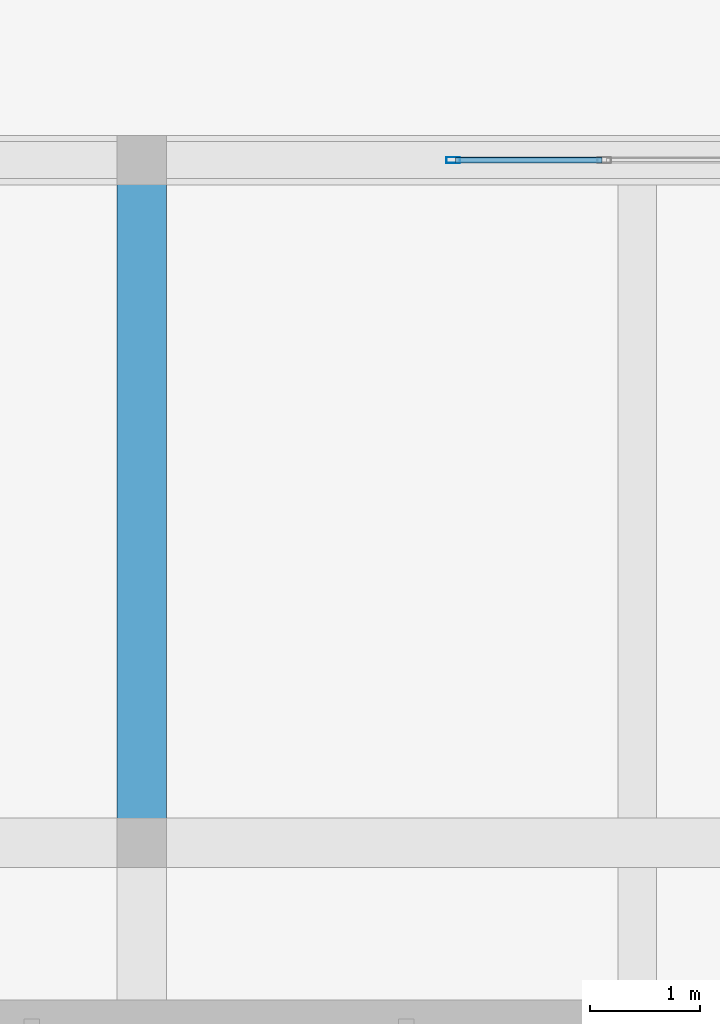
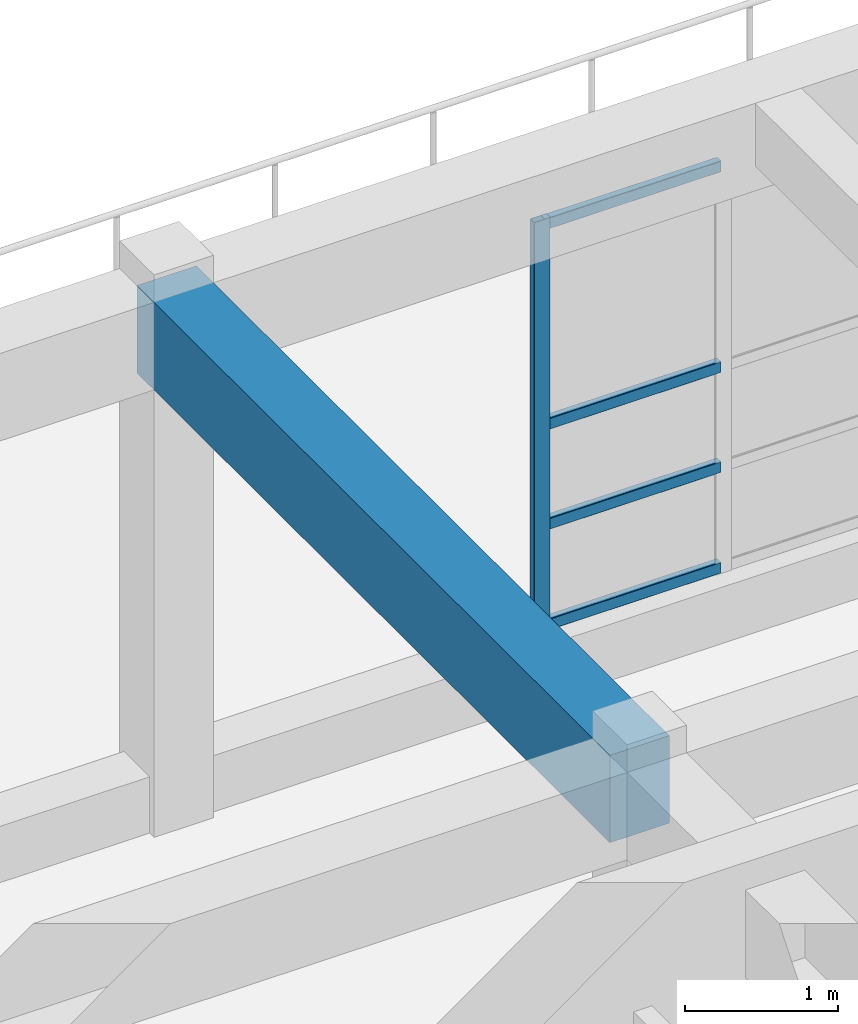
# One storey, part 7 of 15: 5 members, 1 beam, 1 element without a shape of its own.
"""IFC4 building model written with IfcOpenShell, lengths in metres."""

from ifc_helpers import new_model, si_unit, derived_unit, direction, frame, origin, origin_2d, place, context, subcontext, project, spatial, rectangle, hollow_rectangle, extrude, material, layer, layer_set, material_profile, profile_set, type_object, element, aggregate, save


model = new_model("IFC4")

# Units and contexts
model_context = context("Model", 3, precision=1e-05, world=origin(), true_north=direction((0.0, 1.0)))
body_context = subcontext(model_context, "Body", "Model", "MODEL_VIEW")
ifc_project = project(units=[si_unit("LENGTHUNIT", "METRE"), si_unit("AREAUNIT", "SQUARE_METRE"), si_unit("VOLUMEUNIT", "CUBIC_METRE"), si_unit("PLANEANGLEUNIT", "RADIAN"), si_unit("MASSUNIT", "GRAM", prefix="KILO"), derived_unit("THERMALTRANSMITTANCEUNIT", [(si_unit("POWERUNIT", "WATT"), 1), (si_unit("LENGTHUNIT", "METRE"), -2), (si_unit("THERMODYNAMICTEMPERATUREUNIT", "KELVIN"), -1)])], contexts=[model_context])

# Site, building, storey
site_placement = place(None, origin())
site = spatial("IfcSite", under=ifc_project, at=site_placement, CompositionType="ELEMENT")
building_placement = place(site_placement, origin())
building = spatial("IfcBuilding", under=site, at=building_placement, Name="Almenara Railside Exhibition Hall", CompositionType="ELEMENT")
storey_placement = place(building_placement, frame((0.0, 0.0, 16.199951171875)))
storey = spatial("IfcBuildingStorey", under=building, at=storey_placement, Name="L03", CompositionType="ELEMENT", Elevation=16.199951171875)

# Curtain wall, members
ifc_material_1 = material(Name="Bronze-anodised aluminium and low-E double glazing", Category="aluminium")
ifc_layer = layer(ifc_material_1, 0.179931640625, Name="Bronze-anodised aluminium and low-E double glazing")
ifc_layer_set = layer_set([ifc_layer], Name="Bronze-anodised aluminium and low-E double glazing")
curtain_wall_type = type_object("IfcCurtainWallType", Name="Belvedere North Loggia Curtain Wall 2800x3300", PredefinedType="NOTDEFINED", material=ifc_layer_set)
curtain_wall_placement = place(storey_placement, origin())
curtain_wall = element("IfcCurtainWall", 1, at=curtain_wall_placement, inside=storey, type_object=curtain_wall_type, Name="Curtain wall CW-BV1-166", PredefinedType="NOTDEFINED")
ifc_material_2 = material(Name="Bronze-anodised aluminium", Category="aluminium")
ifc_material_profile_1 = material_profile(ifc_material_2, hollow_rectangle(XDim=0.054931640625, YDim=0.125, WallThickness=0.0029296875, InnerFilletRadius=0.0029296875, OuterFilletRadius=0.006103515625, at=origin_2d()), Name="ALU-MUL 55x125x3")
ifc_profile_set_1 = profile_set([ifc_material_profile_1], Name="Bronze-anodised aluminium")
member_type_1 = type_object("IfcMemberType", Name="Curtain Wall Mullion 55x125x3", PredefinedType="MULLION", material=ifc_profile_set_1)
member_1_placement = place(storey_placement, frame((188.827392578125, 28.0, 0.4150390625), z_axis=(0.0, 0.0, 1.0), x_axis=(0.0, 1.0, 0.0)))
member_1 = element("IfcMember", 2, at=member_1_placement, type_object=member_type_1, Name="CW-BV1-166 mullion 1", PredefinedType="MULLION", context=body_context, shape_type="SweptSolid", body=[
    extrude(hollow_rectangle(XDim=0.054931640625, YDim=0.125, WallThickness=0.0029296875, InnerFilletRadius=0.0029296875, OuterFilletRadius=0.006103515625, at=origin_2d()), origin(), (0.0, 0.0, 1.0), 3.3349609375),
])
ifc_material_profile_2 = material_profile(ifc_material_2, hollow_rectangle(XDim=0.054931640625, YDim=0.090087890625, WallThickness=0.0029296875, InnerFilletRadius=0.0029296875, OuterFilletRadius=0.006103515625, at=origin_2d()), Name="ALU-TRN 55x90x3")
ifc_profile_set_2 = profile_set([ifc_material_profile_2], Name="Bronze-anodised aluminium")
member_type_2 = type_object("IfcMemberType", Name="Curtain Wall Transom 55x90x3", PredefinedType="USERDEFINED", material=ifc_profile_set_2)
member_2_placement = place(storey_placement, frame((188.846923828125, 28.0, 0.4951171875), z_axis=(1.0, 0.0, 0.0), x_axis=(0.0, 1.0, 0.0)))
member_2 = element("IfcMember", 3, at=member_2_placement, type_object=member_type_2, Name="CW-BV1-166 transom 1.1", ObjectType="TRANSOM", PredefinedType="USERDEFINED", context=body_context, shape_type="SweptSolid", body=[
    extrude(hollow_rectangle(XDim=0.054931640625, YDim=0.090087890625, WallThickness=0.0029296875, InnerFilletRadius=0.0029296875, OuterFilletRadius=0.006103515625, at=origin_2d()), origin(), (0.0, 0.0, 1.0), 1.33349609375),
])
member_3_placement = place(storey_placement, frame((188.846923828125, 28.0, 1.300048828125), z_axis=(1.0, 0.0, 0.0), x_axis=(0.0, 1.0, 0.0)))
member_3 = element("IfcMember", 4, at=member_3_placement, type_object=member_type_2, Name="CW-BV1-166 transom 1.2", ObjectType="TRANSOM", PredefinedType="USERDEFINED", context=body_context, shape_type="SweptSolid", body=[
    extrude(hollow_rectangle(XDim=0.054931640625, YDim=0.090087890625, WallThickness=0.0029296875, InnerFilletRadius=0.0029296875, OuterFilletRadius=0.006103515625, at=origin_2d()), origin(), (0.0, 0.0, 1.0), 1.33349609375),
])
member_4_placement = place(storey_placement, frame((188.846923828125, 28.0, 2.10009765625), z_axis=(1.0, 0.0, 0.0), x_axis=(0.0, 1.0, 0.0)))
member_4 = element("IfcMember", 5, at=member_4_placement, type_object=member_type_2, Name="CW-BV1-166 transom 1.3", ObjectType="TRANSOM", PredefinedType="USERDEFINED", context=body_context, shape_type="SweptSolid", body=[
    extrude(hollow_rectangle(XDim=0.054931640625, YDim=0.090087890625, WallThickness=0.0029296875, InnerFilletRadius=0.0029296875, OuterFilletRadius=0.006103515625, at=origin_2d()), origin(), (0.0, 0.0, 1.0), 1.33349609375),
])
member_5_placement = place(storey_placement, frame((188.846923828125, 28.0, 3.705078125), z_axis=(1.0, 0.0, 0.0), x_axis=(0.0, 1.0, 0.0)))
member_5 = element("IfcMember", 6, at=member_5_placement, type_object=member_type_2, Name="CW-BV1-166 transom 1.4", ObjectType="TRANSOM", PredefinedType="USERDEFINED", context=body_context, shape_type="SweptSolid", body=[
    extrude(hollow_rectangle(XDim=0.054931640625, YDim=0.090087890625, WallThickness=0.0029296875, InnerFilletRadius=0.0029296875, OuterFilletRadius=0.006103515625, at=origin_2d()), origin(), (0.0, 0.0, 1.0), 1.33349609375),
])
aggregate(curtain_wall, [member_1, member_2, member_3, member_4, member_5])

# Beam
ifc_material_3 = material(Name="Concrete C35/45", Category="concrete")
ifc_material_profile_3 = material_profile(ifc_material_3, rectangle(XDim=0.449951171875, YDim=0.699951171875, at=origin_2d()), Name="RC 450x700")
ifc_profile_set_3 = profile_set([ifc_material_profile_3], Name="Concrete C35/45")
beam_type = type_object("IfcBeamType", Name="RC Floor Beam 450x700 C35/45", PredefinedType="BEAM", material=ifc_profile_set_3)
beam_placement = place(storey_placement, frame((186.0, 21.800048828125, 3.929931640625), z_axis=(0.0, 1.0, 0.0), x_axis=(-1.0, 0.0, 0.0)))
element("IfcBeam", 7, at=beam_placement, inside=storey, type_object=beam_type, Name="Beam 0385", PredefinedType="BEAM", context=body_context, shape_type="SweptSolid", body=[
    extrude(rectangle(XDim=0.449951171875, YDim=0.699951171875, at=origin_2d()), origin(), (0.0, 0.0, 1.0), 6.199951171875),
])

save(model, "model.ifc")
